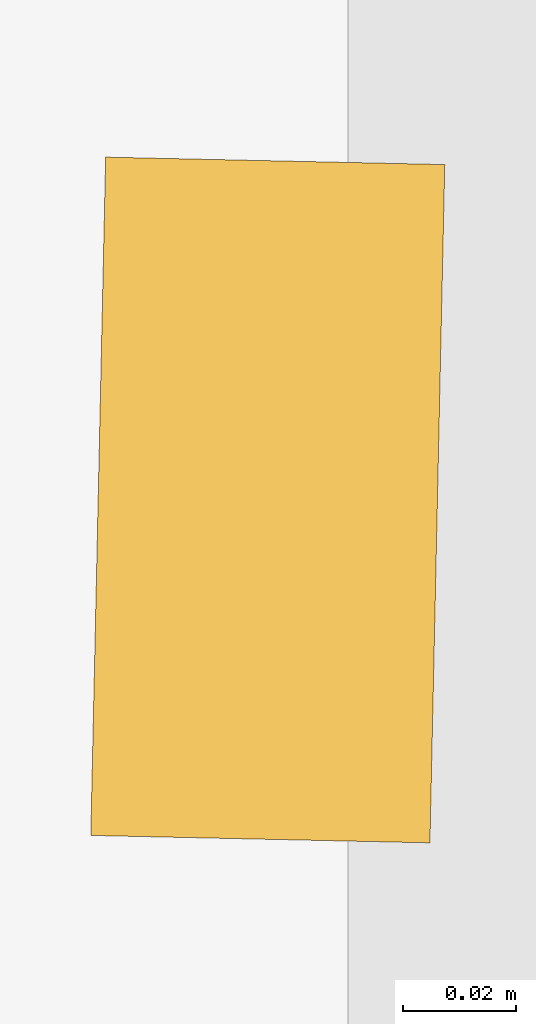
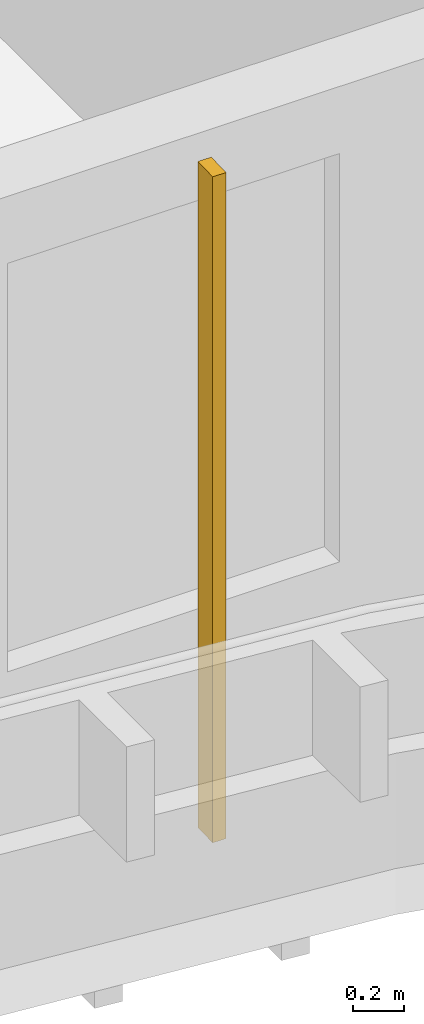
# One storey, part 16 of 21: 1 shading device.
"""IFC4 building model written with IfcOpenShell, lengths in metres."""

from ifc_helpers import new_model, si_unit, direction, frame, origin, origin_2d, place, context, subcontext, project, spatial, rectangle, extrude, source, transform, mapped, material, material_profile, profile_set, type_object, element, save


model = new_model("IFC4")

# Units and contexts
model_context = context("Model", 3, precision=1e-05, world=origin(), true_north=direction((0.0, 1.0)))
body_context = subcontext(model_context, "Body", "Model", "MODEL_VIEW")
ifc_project = project(units=[si_unit("LENGTHUNIT", "METRE"), si_unit("AREAUNIT", "SQUARE_METRE"), si_unit("VOLUMEUNIT", "CUBIC_METRE"), si_unit("PLANEANGLEUNIT", "RADIAN"), si_unit("MASSUNIT", "GRAM", prefix="KILO")], contexts=[model_context])

# Site, building, storey
site_placement = place(None, origin())
site = spatial("IfcSite", under=ifc_project, at=site_placement, CompositionType="ELEMENT")
building_placement = place(site_placement, origin())
building = spatial("IfcBuilding", under=site, at=building_placement, Name="Kilnfold Tower and Market Hall", CompositionType="ELEMENT")
storey_placement = place(building_placement, frame((0.0, 0.0, 185.5)))
storey = spatial("IfcBuildingStorey", under=building, at=storey_placement, Name="L44", CompositionType="ELEMENT", Elevation=185.5)

# Shading device
ifc_material = material(Name="Terracotta", Category="masonry")
ifc_material_profile = material_profile(ifc_material, rectangle(XDim=0.06005859375, YDim=0.1201171875, at=origin_2d()), Name="BAG 60x120")
ifc_profile_set = profile_set([ifc_material_profile], Name="Terracotta")
shading_device_type = type_object("IfcShadingDeviceType", Name="BAGUETTE", PredefinedType="USERDEFINED", material=ifc_profile_set)
shared_shape = source(origin(), body_context, "Body", "SweptSolid", [
    extrude(rectangle(XDim=0.06005859375, YDim=0.1201171875, at=origin_2d()), origin(), (0.0, 0.0, 1.0), 3.179931640625),
])
shading_device_placement = place(storey_placement, frame((4.4873046875, -26.550048828125, 0.0), z_axis=(0.0, 0.0, 1.0), x_axis=(0.999760730798, -0.021874212069, 0.0)))
element("IfcShadingDevice", 1, at=shading_device_placement, inside=storey, type_object=shading_device_type, Name="Terracotta baguette L44 S", ObjectType="BAGUETTE", PredefinedType="USERDEFINED", context=body_context, shape_type="MappedRepresentation", body=[
    mapped(shared_shape, transform((0.0, 0.0, 0.0))),
])

save(model, "model.ifc")
